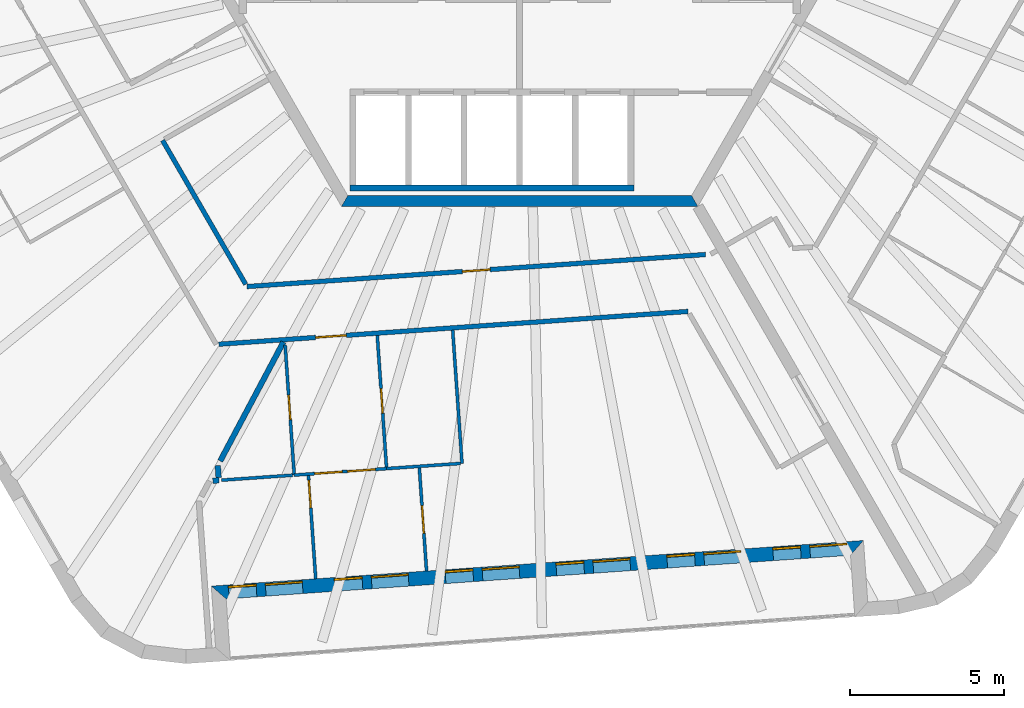
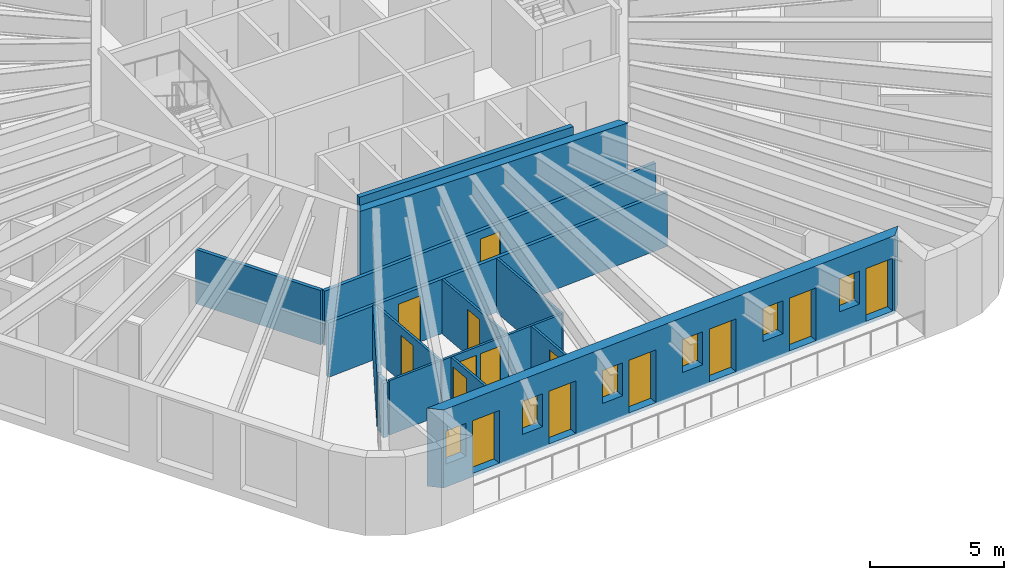
# One storey, part 3 of 11: 17 walls, 14 doors, 6 windows, 20 openings.
"""IFC4 building model written with IfcOpenShell, lengths in metres."""

import ifcopenshell
import ifcopenshell.guid

model = None  # the IFC model being written
_history = None  # IfcOwnerHistory: only IFC2X3 demands one
_inside = {}  # id of a spatial element -> (the spatial element, [elements in it])
_under = {}  # id of a project, library or spatial element -> (it, [spatial elements below it])
_declared = {}  # id of a project -> (the project, [libraries it declares])
_typed = {}  # id of a type object -> (the type object, [elements of that type])
_made_of = {}  # id of a material, layer set ... -> (it, [elements and type objects made of it])


def new_model(schema):
    """Start an empty IFC model of exactly this schema.

    Asked for "IFC4X3", IfcOpenShell would pick the latest addendum, in which some entities
    have other attributes; the version numbers below select the first issue.
    IFC2X3 requires an IfcOwnerHistory on every rooted entity: one is made here for all.
    """
    global model, _history
    if schema == "IFC4X3":
        model = ifcopenshell.file(schema_version=(4, 3, 0, 0))
    else:
        model = ifcopenshell.file(schema=schema)
    _inside.clear()
    _under.clear()
    _declared.clear()
    _typed.clear()
    _made_of.clear()
    _history = None
    if model.schema == "IFC2X3":
        org = make("IfcOrganization", Name="unknown")
        user = make(
            "IfcPersonAndOrganization",
            ThePerson=make("IfcPerson", FamilyName="unknown"),
            TheOrganization=org,
        )
        app = make(
            "IfcApplication",
            ApplicationDeveloper=org,
            Version="unknown",
            ApplicationFullName="unknown",
            ApplicationIdentifier="unknown",
        )
        _history = make(
            "IfcOwnerHistory",
            OwningUser=user,
            OwningApplication=app,
            ChangeAction="ADDED",
            CreationDate=0,
        )
    return model


def make(cls, **values):
    """One entity of the class cls with the attributes given. An attribute that is None is left unset."""
    return model.create_entity(
        cls, **{name: value for name, value in values.items() if value is not None}
    )


def rooted(cls, **values):
    """An entity with a GlobalId (a new one), such as an element, a storey or a relation."""
    return make(cls, GlobalId=ifcopenshell.guid.new(), OwnerHistory=_history, **values)


def si_unit(unit_type, name, prefix=None):
    """IfcSIUnit, for example si_unit("LENGTHUNIT", "METRE", prefix="MILLI")."""
    return make("IfcSIUnit", UnitType=unit_type, Prefix=prefix, Name=name)


def assignment(units):
    """IfcUnitAssignment: the units of a project."""
    return None if units is None else make("IfcUnitAssignment", Units=units)


def point(xyz):
    """IfcCartesianPoint."""
    return None if xyz is None else make("IfcCartesianPoint", Coordinates=xyz)


def direction(xyz):
    """IfcDirection."""
    return None if xyz is None else make("IfcDirection", DirectionRatios=xyz)


def frame(location, z_axis=None, x_axis=None):
    """IfcAxis2Placement3D, a coordinate frame: its origin and axes. An axis left out is left unset."""
    return make(
        "IfcAxis2Placement3D",
        Location=point(location),
        Axis=direction(z_axis),
        RefDirection=direction(x_axis),
    )


def frame_2d(location, x_axis=None):
    """IfcAxis2Placement2D, a coordinate frame in the plane: its origin and x axis."""
    return make(
        "IfcAxis2Placement2D", Location=point(location), RefDirection=direction(x_axis)
    )


def origin():
    """The frame at (0, 0, 0) with its axes left unset."""
    return frame((0.0, 0.0, 0.0))


def place(relative_to, where):
    """IfcLocalPlacement: puts the frame where relative to a parent placement (None: the world)."""
    return make(
        "IfcLocalPlacement", PlacementRelTo=relative_to, RelativePlacement=where
    )


def context(
    kind, dimensions, precision=None, world=None, true_north=None, identifier=None
):
    """IfcGeometricRepresentationContext, for example the 3D "Model" context."""
    return make(
        "IfcGeometricRepresentationContext",
        ContextIdentifier=identifier,
        ContextType=kind,
        CoordinateSpaceDimension=dimensions,
        Precision=precision,
        WorldCoordinateSystem=world,
        TrueNorth=true_north,
    )


def subcontext(parent, identifier, kind, view, scale=None):
    """IfcGeometricRepresentationSubContext, for example "Body" below "Model"."""
    return make(
        "IfcGeometricRepresentationSubContext",
        ContextIdentifier=identifier,
        ContextType=kind,
        ParentContext=parent,
        TargetScale=scale,
        TargetView=view,
    )


def project(units=None, contexts=None):
    """IfcProject with its units and contexts."""
    return rooted(
        "IfcProject",
        Name="project",
        RepresentationContexts=contexts,
        UnitsInContext=assignment(units),
    )


def spatial(cls, under=None, at=None, **own):
    """A site, building, storey or space (cls), placed at a placement, below another one or the project."""
    s = rooted(cls, ObjectPlacement=at, **own)
    if under is not None:
        _under.setdefault(under.id(), (under, []))[1].append(s)
    return s


def polyline(points):
    """IfcPolyline through the points."""
    return make("IfcPolyline", Points=[point(p) for p in points])


def profile(cls, at=None, kind="AREA", **sizes):
    """A parametric profile (cls). Its sizes go by their IFC names, for example OverallWidth=200.0."""
    return make(cls, ProfileType=kind, Position=at, **sizes)


def rectangle(**sizes):
    """IfcRectangleProfileDef."""
    return profile("IfcRectangleProfileDef", **sizes)


def outline(outer, holes=None, kind="AREA"):
    """IfcArbitraryClosedProfileDef: a profile drawn as a closed curve; with holes, ...WithVoids."""
    if holes is None:
        return make("IfcArbitraryClosedProfileDef", ProfileType=kind, OuterCurve=outer)
    return make(
        "IfcArbitraryProfileDefWithVoids",
        ProfileType=kind,
        OuterCurve=outer,
        InnerCurves=holes,
    )


def extrude(swept, where, along, depth):
    """IfcExtrudedAreaSolid: the profile swept, set in the frame where, extruded along a direction by depth."""
    return make(
        "IfcExtrudedAreaSolid",
        SweptArea=swept,
        Position=where,
        ExtrudedDirection=direction(along),
        Depth=depth,
    )


def shape(context_of_items, identifier, shape_type, items):
    """IfcShapeRepresentation: the items that make up one representation, for example the "Body"."""
    return make(
        "IfcShapeRepresentation",
        ContextOfItems=context_of_items,
        RepresentationIdentifier=identifier,
        RepresentationType=shape_type,
        Items=items,
    )


def material(Name=None, Category=None):
    """IfcMaterial."""
    return make("IfcMaterial", Name=Name, Category=Category)


def layer(
    of_material, thickness, ventilated=None, Name=None, Category=None, Priority=None
):
    """IfcMaterialLayer: one layer of a wall or slab, of a material (None: an air gap)."""
    return make(
        "IfcMaterialLayer",
        Material=of_material,
        LayerThickness=thickness,
        IsVentilated=ventilated,
        Name=Name,
        Category=Category,
        Priority=Priority,
    )


def layer_set(layers, Name=None):
    """IfcMaterialLayerSet."""
    return make("IfcMaterialLayerSet", MaterialLayers=layers, LayerSetName=Name)


def made_of(thing, what):
    """Note that an element or type object is made of a material, layer set ...; save() writes the relation."""
    if what is not None:
        _made_of.setdefault(what.id(), (what, []))[1].append(thing)
    return thing


def type_object(cls, material=None, **own):
    """A type object (cls), such as IfcWallType, which elements share."""
    return made_of(rooted(cls, **own), material)


def element(
    cls,
    number,
    at=None,
    inside=None,
    cuts=None,
    type_object=None,
    material=None,
    context=None,
    identifier="Body",
    shape_type=None,
    held_by="IfcProductDefinitionShape",
    body=None,
    shapes=None,
    **own,
):
    """One element of the class cls, such as IfcWall. Its Tag is "e" and its number.

    at: its placement. inside: the storey or other place that contains it. cuts: it is an
    opening in that element (IfcRelVoidsElement). A single representation is given by context,
    identifier, shape_type and body (its items); several are given by shapes. held_by: the class
    of the entity that holds the representations. save() writes the other relations.
    """
    e = rooted(cls, Tag="e%d" % number, ObjectPlacement=at, **own)
    if body is not None:
        shapes = [shape(context, identifier, shape_type, body)]
    if shapes is not None:
        e.Representation = make(held_by, Representations=shapes)
    if inside is not None:
        _inside.setdefault(inside.id(), (inside, []))[1].append(e)
    if cuts is not None:
        rooted(
            "IfcRelVoidsElement", RelatingBuildingElement=cuts, RelatedOpeningElement=e
        )
    if type_object is not None:
        _typed.setdefault(type_object.id(), (type_object, []))[1].append(e)
    return made_of(e, material)


def fill(opening, filler):
    """IfcRelFillsElement: the door or window that sits in an opening."""
    return rooted(
        "IfcRelFillsElement",
        RelatingOpeningElement=opening,
        RelatedBuildingElement=filler,
    )


def aggregate(whole, parts):
    """IfcRelAggregates: a whole, such as a stair, and the parts it consists of."""
    return rooted("IfcRelAggregates", RelatingObject=whole, RelatedObjects=parts)


def save(model, path):
    """Write the relations noted so far, then the file.

    IfcRelAggregates (storeys below a building ...), IfcRelContainedInSpatialStructure (elements
    in a storey), IfcRelDefinesByType, IfcRelAssociatesMaterial and IfcRelDeclares: one each for
    every whole, place, type object, material and project.
    """
    for whole, parts in _under.values():
        aggregate(whole, parts)
    for where, things in _inside.values():
        rooted(
            "IfcRelContainedInSpatialStructure",
            RelatedElements=things,
            RelatingStructure=where,
        )
    for kind, things in _typed.values():
        rooted("IfcRelDefinesByType", RelatedObjects=things, RelatingType=kind)
    for what, things in _made_of.values():
        rooted("IfcRelAssociatesMaterial", RelatedObjects=things, RelatingMaterial=what)
    for by, libraries in _declared.values():
        rooted("IfcRelDeclares", RelatingContext=by, RelatedDefinitions=libraries)
    model.write(path)


model = new_model("IFC4")

# Units and contexts
model_context = context("Model", 3, precision=1e-05, world=origin(), true_north=direction((0.0, 1.0)))
body_context = subcontext(model_context, "Body", "Model", "MODEL_VIEW")
ifc_project = project(units=[si_unit("LENGTHUNIT", "METRE"), si_unit("AREAUNIT", "SQUARE_METRE"), si_unit("VOLUMEUNIT", "CUBIC_METRE"), si_unit("PLANEANGLEUNIT", "RADIAN"), si_unit("MASSUNIT", "GRAM", prefix="KILO")], contexts=[model_context])

# Site, building, storey
site_placement = place(None, origin())
site = spatial("IfcSite", under=ifc_project, at=site_placement, CompositionType="ELEMENT")
building_placement = place(site_placement, origin())
building = spatial("IfcBuilding", under=site, at=building_placement, Name="Tarnside Tower", CompositionType="ELEMENT")
storey_placement = place(building_placement, frame((0.0, 0.0, 372.89990234375)))
storey = spatial("IfcBuildingStorey", under=building, at=storey_placement, Name="L90", CompositionType="ELEMENT", Elevation=372.89990234375)

# Walls
ifc_material_1 = material(Name="Gypsum board partition on steel studs", Category="steel")
ifc_layer_1 = layer(ifc_material_1, 0.10009765625)
ifc_layer_set_1 = layer_set([ifc_layer_1], Name="Bathroom wall 100")
wall_type_1 = type_object("IfcWallType", Name="Bathroom wall 100", PredefinedType="PARTITIONING", material=ifc_layer_set_1)
wall_1_placement = place(storey_placement, frame((-2.169921875, -14.010498046875, 0.0), z_axis=(0.0, 0.0, 1.0), x_axis=(0.069770707097, -0.997563054865, 0.0)))
element("IfcWall", 1, at=wall_1_placement, inside=storey, type_object=wall_type_1, Name="Bathroom wall 29121", PredefinedType="PARTITIONING", context=body_context, shape_type="SweptSolid", body=[
    extrude(rectangle(XDim=4.324951171875, YDim=0.10009765625, at=frame_2d((2.16259765625, 0.0))), origin(), (0.0, 0.0, 1.0), 2.47021484375),
])
wall_2_placement = place(storey_placement, frame((-1.918212890625, -18.328369140625, 0.0), z_axis=(0.0, 0.0, 1.0), x_axis=(-0.997561942506, -0.06978660948, 0.0)))
element("IfcWall", 2, at=wall_2_placement, inside=storey, type_object=wall_type_1, Name="Bathroom wall 29122", PredefinedType="PARTITIONING", context=body_context, shape_type="SweptSolid", body=[
    extrude(rectangle(XDim=2.39990234375, YDim=0.10009765625, at=frame_2d((1.199951171875, 0.0))), origin(), (0.0, 0.0, 1.0), 2.47021484375),
])

# Wall, opening, door
wall_3_placement = place(storey_placement, frame((-4.315673828125, -18.446044921875, 0.0), z_axis=(0.0, 0.0, 1.0), x_axis=(-0.069785937212, 0.997561989536, 0.0)))
wall_3 = element("IfcWall", 3, at=wall_3_placement, inside=storey, type_object=wall_type_1, Name="Bathroom wall 29124", PredefinedType="PARTITIONING", context=body_context, shape_type="SweptSolid", body=[
    extrude(rectangle(XDim=4.275146484375, YDim=0.10009765625, at=frame_2d((2.1376953125, 0.0))), origin(), (0.0, 0.0, 1.0), 2.47021484375),
])
opening_1_placement = place(wall_3_placement, frame((1.75, 0.0, 0.0)))
opening_1 = element("IfcOpeningElement", 4, at=opening_1_placement, cuts=wall_3, Name="Opening D-B1", PredefinedType="OPENING", context=body_context, shape_type="SweptSolid", body=[
    extrude(rectangle(XDim=0.800048828125, YDim=2.10009765625, at=frame_2d((0.39990234375, 1.050048828125))), frame((0.0, 0.06005859375, 0.0), z_axis=(0.0, -1.0, 0.0), x_axis=(1.0, 0.0, 0.0)), (0.0, 0.0, 1.0), 0.1201171875),
])
ifc_material_2 = material(Name="Timber door leaf", Category="wood")
door_type_1 = type_object("IfcDoorType", Name="Bathroom door 800", OperationType="NOTDEFINED", PredefinedType="DOOR", material=ifc_material_2)
door_1_placement = place(opening_1_placement, origin())
door_1 = element("IfcDoor", 5, at=door_1_placement, inside=storey, type_object=door_type_1, Name="Bathroom door 29032", OperationType="SINGLE_SWING_LEFT", OverallHeight=2.10009765625, OverallWidth=0.800048828125, PredefinedType="DOOR", context=body_context, shape_type="SweptSolid", body=[
    extrude(rectangle(XDim=0.800048828125, YDim=2.10009765625, at=frame_2d((0.39990234375, 1.050048828125))), frame((0.0, 0.02490234375, 0.0), z_axis=(0.0, -1.0, 0.0), x_axis=(1.0, 0.0, 0.0)), (0.0, 0.0, 1.0), 0.050048828125),
])
fill(opening_1, door_1)

wall_4_placement = place(storey_placement, frame((-7.60009765625, -14.4853515625, 0.0), z_axis=(0.0, 0.0, 1.0), x_axis=(0.069778585231, -0.997562503828, 0.0)))
wall_4 = element("IfcWall", 6, at=wall_4_placement, inside=storey, type_object=wall_type_1, Name="Bathroom wall 29127", PredefinedType="PARTITIONING", context=body_context, shape_type="SweptSolid", body=[
    extrude(rectangle(XDim=4.22998046875, YDim=0.10009765625, at=frame_2d((2.114990234375, 0.0))), origin(), (0.0, 0.0, 1.0), 2.47021484375),
])
opening_2_placement = place(wall_4_placement, frame((1.630126953125, 0.0, 0.0)))
opening_2 = element("IfcOpeningElement", 7, at=opening_2_placement, cuts=wall_4, Name="Opening D-B1", PredefinedType="OPENING", context=body_context, shape_type="SweptSolid", body=[
    extrude(rectangle(XDim=0.800048828125, YDim=2.10009765625, at=frame_2d((0.39990234375, 1.050048828125))), frame((0.0, 0.06005859375, 0.0), z_axis=(0.0, -1.0, 0.0), x_axis=(1.0, 0.0, 0.0)), (0.0, 0.0, 1.0), 0.1201171875),
])
door_2_placement = place(opening_2_placement, origin())
door_2 = element("IfcDoor", 8, at=door_2_placement, inside=storey, type_object=door_type_1, Name="Bathroom door 29040", OperationType="SINGLE_SWING_RIGHT", OverallHeight=2.10009765625, OverallWidth=0.800048828125, PredefinedType="DOOR", context=body_context, shape_type="SweptSolid", body=[
    extrude(rectangle(XDim=0.800048828125, YDim=2.10009765625, at=frame_2d((0.39990234375, 1.050048828125))), frame((0.0, 0.02490234375, 0.0), z_axis=(0.0, -1.0, 0.0), x_axis=(1.0, 0.0, 0.0)), (0.0, 0.0, 1.0), 0.050048828125),
])
fill(opening_2, door_2)

# Walls
wall_5_placement = place(storey_placement, frame((-7.354736328125, -18.70849609375, 0.0), z_axis=(0.0, 0.0, 1.0), x_axis=(-0.997556979038, -0.069857523376, 0.0)))
element("IfcWall", 9, at=wall_5_placement, inside=storey, type_object=wall_type_1, Name="Bathroom wall 29130", PredefinedType="PARTITIONING", context=body_context, shape_type="SweptSolid", body=[
    extrude(rectangle(XDim=2.31005859375, YDim=0.10009765625, at=frame_2d((1.155029296875, 0.0))), origin(), (0.0, 0.0, 1.0), 2.47021484375),
])
ifc_material_3 = material(Name="Concrete C50/60", Category="concrete")
ifc_layer_2 = layer(ifc_material_3, 0.35009765625)
ifc_layer_set_2 = layer_set([ifc_layer_2], Name="Core wall Z4 350 C50/60")
wall_type_2 = type_object("IfcWallType", Name="Core wall Z4 350 C50/60", PredefinedType="SHEAR", material=ifc_layer_set_2)
wall_6_placement = place(storey_placement, frame((-5.672607421875, -9.824951171875, -0.14990234375), z_axis=(0.0, 0.0, 1.0), x_axis=(1.0, 0.0, 0.0)))
element("IfcWall", 10, at=wall_6_placement, inside=storey, type_object=wall_type_2, Name="L90 core wall face 4", PredefinedType="SHEAR", context=body_context, shape_type="SweptSolid", body=[
    extrude(outline(polyline([(-0.10107421875, -0.175048828125), (11.4462890625, -0.175048828125), (11.244140625, 0.175048828125), (0.10107421875, 0.175048828125), (-0.10107421875, -0.175048828125)])), origin(), (0.0, 0.0, 1.0), 3.550048828125),
])

# Wall, opening, door
ifc_layer_3 = layer(ifc_material_1, 0.14990234375)
ifc_layer_set_3 = layer_set([ifc_layer_3], Name="Corridor wall 150 EI 60")
wall_type_3 = type_object("IfcWallType", Name="Corridor wall 150 EI 60", PredefinedType="PARTITIONING", material=ifc_layer_set_3)
wall_7_placement = place(storey_placement, frame((-9.74853515625, -14.46533203125, 0.0), z_axis=(0.0, 0.0, 1.0), x_axis=(0.997564252773, 0.069753577612, 0.0)))
wall_7 = element("IfcWall", 11, at=wall_7_placement, inside=storey, type_object=wall_type_3, Name="Corridor wall 29028", PredefinedType="PARTITIONING", context=body_context, shape_type="SweptSolid", body=[
    extrude(rectangle(XDim=15.24267578125, YDim=0.14990234375, at=frame_2d((7.621337890625, 0.0))), origin(), (0.0, 0.0, 1.0), 2.47021484375),
])
opening_3_placement = place(wall_7_placement, frame((3.141845703125, 0.0, 0.0)))
opening_3 = element("IfcOpeningElement", 12, at=opening_3_placement, cuts=wall_7, Name="Opening D-E1", PredefinedType="OPENING", context=body_context, shape_type="SweptSolid", body=[
    extrude(rectangle(XDim=1.0, YDim=2.10009765625, at=frame_2d((0.5, 1.050048828125))), frame((0.0, 0.0849609375, 0.0), z_axis=(0.0, -1.0, 0.0), x_axis=(1.0, 0.0, 0.0)), (0.0, 0.0, 1.0), 0.169921875),
])
door_type_2 = type_object("IfcDoorType", Name="Unit entrance door 1000 FD30S", OperationType="NOTDEFINED", PredefinedType="DOOR", material=ifc_material_2)
door_3_placement = place(opening_3_placement, origin())
door_3 = element("IfcDoor", 13, at=door_3_placement, inside=storey, type_object=door_type_2, Name="Unit door 29031", OperationType="SINGLE_SWING_RIGHT", OverallHeight=2.10009765625, OverallWidth=1.0, PredefinedType="DOOR", context=body_context, shape_type="SweptSolid", body=[
    extrude(rectangle(XDim=1.0, YDim=2.10009765625, at=frame_2d((0.5, 1.050048828125))), frame((0.0, 0.02490234375, 0.0), z_axis=(0.0, -1.0, 0.0), x_axis=(1.0, 0.0, 0.0)), (0.0, 0.0, 1.0), 0.050048828125),
])
fill(opening_3, door_3)

wall_8_placement = place(storey_placement, frame((6.02197265625, -11.55810546875, 0.0), z_axis=(0.0, 0.0, 1.0), x_axis=(-0.997564502115, -0.06975001161, 0.0)))
wall_8 = element("IfcWall", 14, at=wall_8_placement, inside=storey, type_object=wall_type_3, Name="Corridor wall 29048", PredefinedType="PARTITIONING", context=body_context, shape_type="SweptSolid", body=[
    extrude(rectangle(XDim=14.8935546875, YDim=0.14990234375, at=frame_2d((7.44677734375, 0.0))), origin(), (0.0, 0.0, 1.0), 2.47021484375),
])
opening_4_placement = place(wall_8_placement, frame((6.996826171875, 0.0, 0.0)))
opening_4 = element("IfcOpeningElement", 15, at=opening_4_placement, cuts=wall_8, Name="Opening D-S1", PredefinedType="OPENING", context=body_context, shape_type="SweptSolid", body=[
    extrude(rectangle(XDim=0.89990234375, YDim=2.10009765625, at=frame_2d((0.449951171875, 1.050048828125))), frame((0.0, 0.0849609375, 0.0), z_axis=(0.0, -1.0, 0.0), x_axis=(1.0, 0.0, 0.0)), (0.0, 0.0, 1.0), 0.169921875),
])
door_type_3 = type_object("IfcDoorType", Name="Service room door 900 FD30S", OperationType="NOTDEFINED", PredefinedType="DOOR", material=ifc_material_2)
door_4_placement = place(opening_4_placement, origin())
door_4 = element("IfcDoor", 16, at=door_4_placement, inside=storey, type_object=door_type_3, Name="Service door 29060", OperationType="SINGLE_SWING_RIGHT", OverallHeight=2.10009765625, OverallWidth=0.89990234375, PredefinedType="DOOR", context=body_context, shape_type="SweptSolid", body=[
    extrude(rectangle(XDim=0.89990234375, YDim=2.10009765625, at=frame_2d((0.449951171875, 1.050048828125))), frame((0.0, 0.02490234375, 0.0), z_axis=(0.0, -1.0, 0.0), x_axis=(1.0, 0.0, 0.0)), (0.0, 0.0, 1.0), 0.050048828125),
])
fill(opening_4, door_4)

# Walls
wall_9_placement = place(storey_placement, frame((-8.876953125, -12.524658203125, 0.0), z_axis=(0.0, 0.0, 1.0), x_axis=(-0.500014061761, 0.866017285071, 0.0)))
element("IfcWall", 17, at=wall_9_placement, inside=storey, type_object=wall_type_3, Name="Corridor wall 29049", PredefinedType="PARTITIONING", context=body_context, shape_type="SweptSolid", body=[
    extrude(rectangle(XDim=5.386962890625, YDim=0.14990234375, at=frame_2d((2.693359375, 0.0))), origin(), (0.0, 0.0, 1.0), 2.47021484375),
])
ifc_layer_4 = layer(ifc_material_1, 0.179931640625)
ifc_layer_set_4 = layer_set([ifc_layer_4], Name="Demising wall 180 EI 60")
wall_type_4 = type_object("IfcWallType", Name="Demising wall 180 EI 60", PredefinedType="PARTITIONING", material=ifc_layer_set_4)
wall_10_placement = place(storey_placement, frame((-9.94189453125, -18.889404296875, 0.0), z_axis=(0.0, 0.0, 1.0), x_axis=(0.997589087128, 0.069397501713, 0.0)))
element("IfcWall", 18, at=wall_10_placement, inside=storey, type_object=wall_type_4, Name="Demising wall 29113", PredefinedType="PARTITIONING", context=body_context, shape_type="SweptSolid", body=[
    extrude(rectangle(XDim=0.197021484375, YDim=0.179931640625, at=frame_2d((0.0986328125, 0.0))), origin(), (0.0, 0.0, 1.0), 2.47021484375),
])
wall_11_placement = place(storey_placement, frame((-9.755126953125, -18.7861328125, 0.0), z_axis=(0.0, 0.0, 1.0), x_axis=(-0.070266142985, 0.997528279875, 0.0)))
element("IfcWall", 19, at=wall_11_placement, inside=storey, type_object=wall_type_4, Name="Demising wall 29114", PredefinedType="PARTITIONING", context=body_context, shape_type="SweptSolid", body=[
    extrude(rectangle(XDim=0.38916015625, YDim=0.179931640625, at=frame_2d((0.194580078125, 0.0))), origin(), (0.0, 0.0, 1.0), 2.47021484375),
])
wall_12_placement = place(storey_placement, frame((-9.70263671875, -18.248046875, 0.0), z_axis=(0.0, 0.0, 1.0), x_axis=(0.469490526632, 0.882937509342, 0.0)))
element("IfcWall", 20, at=wall_12_placement, inside=storey, type_object=wall_type_4, Name="Demising wall 29115", PredefinedType="PARTITIONING", context=body_context, shape_type="SweptSolid", body=[
    extrude(rectangle(XDim=4.364990234375, YDim=0.179931640625, at=frame_2d((2.1826171875, 0.0))), origin(), (0.0, 0.0, 1.0), 2.47021484375),
])
ifc_material_4 = material(Name="Concrete C40/50", Category="concrete")
ifc_layer_5 = layer(ifc_material_4, 0.199951171875)
ifc_layer_set_5 = layer_set([ifc_layer_5], Name="Lift shaft wall 200 C40/50")
wall_type_5 = type_object("IfcWallType", Name="Lift shaft wall 200 C40/50", PredefinedType="SHEAR", material=ifc_layer_set_5)
wall_13_placement = place(storey_placement, frame((-5.5, -9.39990234375, -0.25), z_axis=(0.0, 0.0, 1.0), x_axis=(1.0, 0.0, 0.0)))
element("IfcWall", 21, at=wall_13_placement, inside=storey, type_object=wall_type_5, Name="L90 lift shaft back wall R4", PredefinedType="SHEAR", context=body_context, shape_type="SweptSolid", body=[
    extrude(rectangle(XDim=9.199951171875, YDim=0.199951171875, at=frame_2d((4.60009765625, 0.0))), origin(), (0.0, 0.0, 1.0), 3.900146484375),
])

# Wall, openings, doors, windows
ifc_material_5 = material(Name="Dark zinc cladding")
ifc_layer_6 = layer(ifc_material_5, 0.10205078125)
ifc_material_6 = material(Name="Concrete C60/75 precast", Category="concrete")
ifc_layer_7 = layer(ifc_material_6, 0.248046875)
ifc_material_7 = material(Name="Mineral wool insulation")
ifc_layer_8 = layer(ifc_material_7, 0.10009765625)
ifc_layer_set_6 = layer_set([ifc_layer_6, ifc_layer_7, ifc_layer_8], Name="Loggia wall 450 zinc faced")
wall_type_6 = type_object("IfcWallType", Name="Loggia wall 450 zinc faced", PredefinedType="SOLIDWALL", material=ifc_layer_set_6)
wall_14_placement = place(storey_placement, frame((-9.7509765625, -22.510009765625, -0.14990234375), z_axis=(0.0, 0.0, 1.0), x_axis=(0.997564460173, 0.06975061147, 0.0)))
wall_14 = element("IfcWall", 22, at=wall_14_placement, inside=storey, type_object=wall_type_6, Name="Tube wall L90 F4 back 18", PredefinedType="SOLIDWALL", context=body_context, shape_type="SweptSolid", body=[
    extrude(outline(polyline([(0.224853515625, -0.22509765625), (20.5068359375, -0.22509765625), (20.95654296875, 0.22509765625), (-0.224853515625, 0.22509765625), (0.224853515625, -0.22509765625)])), origin(), (0.0, 0.0, 1.0), 3.550048828125),
])
opening_5_placement = place(wall_14_placement, frame((0.324951171875, 0.0, 1.050048828125)))
opening_5 = element("IfcOpeningElement", 23, at=opening_5_placement, cuts=wall_14, Name="Opening WL450", PredefinedType="OPENING", context=body_context, shape_type="SweptSolid", body=[
    extrude(rectangle(XDim=0.89990234375, YDim=1.5, at=frame_2d((0.449951171875, 0.75))), frame((0.0, 0.23486328125, 0.0), z_axis=(0.0, -1.0, 0.0), x_axis=(1.0, 0.0, 0.0)), (0.0, 0.0, 1.0), 0.469970703125),
])
opening_6_placement = place(wall_14_placement, frame((1.52490234375, 0.0, 0.14990234375)))
opening_6 = element("IfcOpeningElement", 24, at=opening_6_placement, cuts=wall_14, Name="Opening DB450", PredefinedType="OPENING", context=body_context, shape_type="SweptSolid", body=[
    extrude(rectangle(XDim=1.199951171875, YDim=2.39990234375, at=frame_2d((0.60009765625, 1.199951171875))), frame((0.0, 0.23486328125, 0.0), z_axis=(0.0, -1.0, 0.0), x_axis=(1.0, 0.0, 0.0)), (0.0, 0.0, 1.0), 0.469970703125),
])
opening_7_placement = place(wall_14_placement, frame((3.765869140625, 0.0, 1.050048828125)))
opening_7 = element("IfcOpeningElement", 25, at=opening_7_placement, cuts=wall_14, Name="Opening WL450", PredefinedType="OPENING", context=body_context, shape_type="SweptSolid", body=[
    extrude(rectangle(XDim=0.89990234375, YDim=1.5, at=frame_2d((0.449951171875, 0.75))), frame((0.0, 0.23486328125, 0.0), z_axis=(0.0, -1.0, 0.0), x_axis=(1.0, 0.0, 0.0)), (0.0, 0.0, 1.0), 0.469970703125),
])
opening_8_placement = place(wall_14_placement, frame((4.9658203125, 0.0, 0.14990234375)))
opening_8 = element("IfcOpeningElement", 26, at=opening_8_placement, cuts=wall_14, Name="Opening DB450", PredefinedType="OPENING", context=body_context, shape_type="SweptSolid", body=[
    extrude(rectangle(XDim=1.199951171875, YDim=2.39990234375, at=frame_2d((0.60009765625, 1.199951171875))), frame((0.0, 0.23486328125, 0.0), z_axis=(0.0, -1.0, 0.0), x_axis=(1.0, 0.0, 0.0)), (0.0, 0.0, 1.0), 0.469970703125),
])
opening_9_placement = place(wall_14_placement, frame((7.36572265625, 0.0, 1.050048828125)))
opening_9 = element("IfcOpeningElement", 27, at=opening_9_placement, cuts=wall_14, Name="Opening WL450", PredefinedType="OPENING", context=body_context, shape_type="SweptSolid", body=[
    extrude(rectangle(XDim=0.89990234375, YDim=1.5, at=frame_2d((0.449951171875, 0.75))), frame((0.0, 0.23486328125, 0.0), z_axis=(0.0, -1.0, 0.0), x_axis=(1.0, 0.0, 0.0)), (0.0, 0.0, 1.0), 0.469970703125),
])
opening_10_placement = place(wall_14_placement, frame((8.56591796875, 0.0, 0.14990234375)))
opening_10 = element("IfcOpeningElement", 28, at=opening_10_placement, cuts=wall_14, Name="Opening DB450", PredefinedType="OPENING", context=body_context, shape_type="SweptSolid", body=[
    extrude(rectangle(XDim=1.199951171875, YDim=2.39990234375, at=frame_2d((0.60009765625, 1.199951171875))), frame((0.0, 0.23486328125, 0.0), z_axis=(0.0, -1.0, 0.0), x_axis=(1.0, 0.0, 0.0)), (0.0, 0.0, 1.0), 0.469970703125),
])
opening_11_placement = place(wall_14_placement, frame((10.9658203125, 0.0, 1.050048828125)))
opening_11 = element("IfcOpeningElement", 29, at=opening_11_placement, cuts=wall_14, Name="Opening WL450", PredefinedType="OPENING", context=body_context, shape_type="SweptSolid", body=[
    extrude(rectangle(XDim=0.89990234375, YDim=1.5, at=frame_2d((0.449951171875, 0.75))), frame((0.0, 0.23486328125, 0.0), z_axis=(0.0, -1.0, 0.0), x_axis=(1.0, 0.0, 0.0)), (0.0, 0.0, 1.0), 0.469970703125),
])
opening_12_placement = place(wall_14_placement, frame((12.165771484375, 0.0, 0.14990234375)))
opening_12 = element("IfcOpeningElement", 30, at=opening_12_placement, cuts=wall_14, Name="Opening DB450", PredefinedType="OPENING", context=body_context, shape_type="SweptSolid", body=[
    extrude(rectangle(XDim=1.199951171875, YDim=2.39990234375, at=frame_2d((0.60009765625, 1.199951171875))), frame((0.0, 0.23486328125, 0.0), z_axis=(0.0, -1.0, 0.0), x_axis=(1.0, 0.0, 0.0)), (0.0, 0.0, 1.0), 0.469970703125),
])
opening_13_placement = place(wall_14_placement, frame((14.56591796875, 0.0, 1.050048828125)))
opening_13 = element("IfcOpeningElement", 31, at=opening_13_placement, cuts=wall_14, Name="Opening WL450", PredefinedType="OPENING", context=body_context, shape_type="SweptSolid", body=[
    extrude(rectangle(XDim=0.89990234375, YDim=1.5, at=frame_2d((0.449951171875, 0.75))), frame((0.0, 0.23486328125, 0.0), z_axis=(0.0, -1.0, 0.0), x_axis=(1.0, 0.0, 0.0)), (0.0, 0.0, 1.0), 0.469970703125),
])
opening_14_placement = place(wall_14_placement, frame((15.765869140625, 0.0, 0.14990234375)))
opening_14 = element("IfcOpeningElement", 32, at=opening_14_placement, cuts=wall_14, Name="Opening DB450", PredefinedType="OPENING", context=body_context, shape_type="SweptSolid", body=[
    extrude(rectangle(XDim=1.199951171875, YDim=2.39990234375, at=frame_2d((0.60009765625, 1.199951171875))), frame((0.0, 0.23486328125, 0.0), z_axis=(0.0, -1.0, 0.0), x_axis=(1.0, 0.0, 0.0)), (0.0, 0.0, 1.0), 0.469970703125),
])
opening_15_placement = place(wall_14_placement, frame((18.006591796875, 0.0, 1.050048828125)))
opening_15 = element("IfcOpeningElement", 33, at=opening_15_placement, cuts=wall_14, Name="Opening WL450", PredefinedType="OPENING", context=body_context, shape_type="SweptSolid", body=[
    extrude(rectangle(XDim=0.89990234375, YDim=1.5, at=frame_2d((0.449951171875, 0.75))), frame((0.0, 0.23486328125, 0.0), z_axis=(0.0, -1.0, 0.0), x_axis=(1.0, 0.0, 0.0)), (0.0, 0.0, 1.0), 0.469970703125),
])
opening_16_placement = place(wall_14_placement, frame((19.20654296875, 0.0, 0.14990234375)))
opening_16 = element("IfcOpeningElement", 34, at=opening_16_placement, cuts=wall_14, Name="Opening DB450", PredefinedType="OPENING", context=body_context, shape_type="SweptSolid", body=[
    extrude(rectangle(XDim=1.199951171875, YDim=2.39990234375, at=frame_2d((0.60009765625, 1.199951171875))), frame((0.0, 0.23486328125, 0.0), z_axis=(0.0, -1.0, 0.0), x_axis=(1.0, 0.0, 0.0)), (0.0, 0.0, 1.0), 0.469970703125),
])
ifc_material_8 = material(Name="Aluminium-framed double glazing", Category="aluminium")
door_type_4 = type_object("IfcDoorType", Name="Balcony sliding door 1200 x 2400 in 450 wall", OperationType="SLIDING_TO_LEFT", PredefinedType="DOOR", material=ifc_material_8)
door_5_placement = place(opening_6_placement, frame((0.0, 0.150146484375, 0.0)))
door_5 = element("IfcDoor", 35, at=door_5_placement, inside=storey, type_object=door_type_4, Name="E.BD.L90.F4.00", OperationType="SLIDING_TO_LEFT", OverallHeight=2.39990234375, OverallWidth=1.199951171875, PredefinedType="DOOR", context=body_context, shape_type="SweptSolid", body=[
    extrude(rectangle(XDim=1.199951171875, YDim=2.39990234375, at=frame_2d((0.60009765625, 1.199951171875))), frame((0.0, 0.02490234375, 0.0), z_axis=(0.0, -1.0, 0.0), x_axis=(1.0, 0.0, 0.0)), (0.0, 0.0, 1.0), 0.050048828125),
])
fill(opening_6, door_5)
door_6_placement = place(opening_8_placement, frame((0.0, 0.150146484375, 0.0)))
door_6 = element("IfcDoor", 36, at=door_6_placement, inside=storey, type_object=door_type_4, Name="E.BD.L90.F4.01", OperationType="SLIDING_TO_LEFT", OverallHeight=2.39990234375, OverallWidth=1.199951171875, PredefinedType="DOOR", context=body_context, shape_type="SweptSolid", body=[
    extrude(rectangle(XDim=1.199951171875, YDim=2.39990234375, at=frame_2d((0.60009765625, 1.199951171875))), frame((0.0, 0.02490234375, 0.0), z_axis=(0.0, -1.0, 0.0), x_axis=(1.0, 0.0, 0.0)), (0.0, 0.0, 1.0), 0.050048828125),
])
fill(opening_8, door_6)
door_7_placement = place(opening_10_placement, frame((0.0, 0.150146484375, 0.0)))
door_7 = element("IfcDoor", 37, at=door_7_placement, inside=storey, type_object=door_type_4, Name="E.BD.L90.F4.02", OperationType="SLIDING_TO_LEFT", OverallHeight=2.39990234375, OverallWidth=1.199951171875, PredefinedType="DOOR", context=body_context, shape_type="SweptSolid", body=[
    extrude(rectangle(XDim=1.199951171875, YDim=2.39990234375, at=frame_2d((0.60009765625, 1.199951171875))), frame((0.0, 0.02490234375, 0.0), z_axis=(0.0, -1.0, 0.0), x_axis=(1.0, 0.0, 0.0)), (0.0, 0.0, 1.0), 0.050048828125),
])
fill(opening_10, door_7)
door_8_placement = place(opening_12_placement, frame((0.0, 0.150146484375, 0.0)))
door_8 = element("IfcDoor", 38, at=door_8_placement, inside=storey, type_object=door_type_4, Name="E.BD.L90.F4.03", OperationType="SLIDING_TO_LEFT", OverallHeight=2.39990234375, OverallWidth=1.199951171875, PredefinedType="DOOR", context=body_context, shape_type="SweptSolid", body=[
    extrude(rectangle(XDim=1.199951171875, YDim=2.39990234375, at=frame_2d((0.60009765625, 1.199951171875))), frame((0.0, 0.02490234375, 0.0), z_axis=(0.0, -1.0, 0.0), x_axis=(1.0, 0.0, 0.0)), (0.0, 0.0, 1.0), 0.050048828125),
])
fill(opening_12, door_8)
door_9_placement = place(opening_14_placement, frame((0.0, 0.150146484375, 0.0)))
door_9 = element("IfcDoor", 39, at=door_9_placement, inside=storey, type_object=door_type_4, Name="E.BD.L90.F4.04", OperationType="SLIDING_TO_LEFT", OverallHeight=2.39990234375, OverallWidth=1.199951171875, PredefinedType="DOOR", context=body_context, shape_type="SweptSolid", body=[
    extrude(rectangle(XDim=1.199951171875, YDim=2.39990234375, at=frame_2d((0.60009765625, 1.199951171875))), frame((0.0, 0.02490234375, 0.0), z_axis=(0.0, -1.0, 0.0), x_axis=(1.0, 0.0, 0.0)), (0.0, 0.0, 1.0), 0.050048828125),
])
fill(opening_14, door_9)
door_10_placement = place(opening_16_placement, frame((0.0, 0.150146484375, 0.0)))
door_10 = element("IfcDoor", 40, at=door_10_placement, inside=storey, type_object=door_type_4, Name="E.BD.L90.F4.05", OperationType="SLIDING_TO_LEFT", OverallHeight=2.39990234375, OverallWidth=1.199951171875, PredefinedType="DOOR", context=body_context, shape_type="SweptSolid", body=[
    extrude(rectangle(XDim=1.199951171875, YDim=2.39990234375, at=frame_2d((0.60009765625, 1.199951171875))), frame((0.0, 0.02490234375, 0.0), z_axis=(0.0, -1.0, 0.0), x_axis=(1.0, 0.0, 0.0)), (0.0, 0.0, 1.0), 0.050048828125),
])
fill(opening_16, door_10)
window_type = type_object("IfcWindowType", Name="Loggia window 900 x 1500 in 450 wall", PartitioningType="SINGLE_PANEL", PredefinedType="WINDOW", material=ifc_material_8)
window_1_placement = place(opening_5_placement, frame((0.0, 0.1552734375, 0.0)))
window_1 = element("IfcWindow", 41, at=window_1_placement, inside=storey, type_object=window_type, Name="E.LW.L90.F4.00", OverallHeight=1.5, OverallWidth=0.89990234375, PartitioningType="SINGLE_PANEL", PredefinedType="WINDOW", context=body_context, shape_type="SweptSolid", body=[
    extrude(rectangle(XDim=0.89990234375, YDim=1.5, at=frame_2d((0.449951171875, 0.75))), frame((0.0, 0.030029296875, 0.0), z_axis=(0.0, -1.0, 0.0), x_axis=(1.0, 0.0, 0.0)), (0.0, 0.0, 1.0), 0.06005859375),
])
fill(opening_5, window_1)
window_2_placement = place(opening_7_placement, frame((0.0, 0.1552734375, 0.0)))
window_2 = element("IfcWindow", 42, at=window_2_placement, inside=storey, type_object=window_type, Name="E.LW.L90.F4.01", OverallHeight=1.5, OverallWidth=0.89990234375, PartitioningType="SINGLE_PANEL", PredefinedType="WINDOW", context=body_context, shape_type="SweptSolid", body=[
    extrude(rectangle(XDim=0.89990234375, YDim=1.5, at=frame_2d((0.449951171875, 0.75))), frame((0.0, 0.030029296875, 0.0), z_axis=(0.0, -1.0, 0.0), x_axis=(1.0, 0.0, 0.0)), (0.0, 0.0, 1.0), 0.06005859375),
])
fill(opening_7, window_2)
window_3_placement = place(opening_9_placement, frame((0.0, 0.1552734375, 0.0)))
window_3 = element("IfcWindow", 43, at=window_3_placement, inside=storey, type_object=window_type, Name="E.LW.L90.F4.02", OverallHeight=1.5, OverallWidth=0.89990234375, PartitioningType="SINGLE_PANEL", PredefinedType="WINDOW", context=body_context, shape_type="SweptSolid", body=[
    extrude(rectangle(XDim=0.89990234375, YDim=1.5, at=frame_2d((0.449951171875, 0.75))), frame((0.0, 0.030029296875, 0.0), z_axis=(0.0, -1.0, 0.0), x_axis=(1.0, 0.0, 0.0)), (0.0, 0.0, 1.0), 0.06005859375),
])
fill(opening_9, window_3)
window_4_placement = place(opening_11_placement, frame((0.0, 0.1552734375, 0.0)))
window_4 = element("IfcWindow", 44, at=window_4_placement, inside=storey, type_object=window_type, Name="E.LW.L90.F4.03", OverallHeight=1.5, OverallWidth=0.89990234375, PartitioningType="SINGLE_PANEL", PredefinedType="WINDOW", context=body_context, shape_type="SweptSolid", body=[
    extrude(rectangle(XDim=0.89990234375, YDim=1.5, at=frame_2d((0.449951171875, 0.75))), frame((0.0, 0.030029296875, 0.0), z_axis=(0.0, -1.0, 0.0), x_axis=(1.0, 0.0, 0.0)), (0.0, 0.0, 1.0), 0.06005859375),
])
fill(opening_11, window_4)
window_5_placement = place(opening_13_placement, frame((0.0, 0.1552734375, 0.0)))
window_5 = element("IfcWindow", 45, at=window_5_placement, inside=storey, type_object=window_type, Name="E.LW.L90.F4.04", OverallHeight=1.5, OverallWidth=0.89990234375, PartitioningType="SINGLE_PANEL", PredefinedType="WINDOW", context=body_context, shape_type="SweptSolid", body=[
    extrude(rectangle(XDim=0.89990234375, YDim=1.5, at=frame_2d((0.449951171875, 0.75))), frame((0.0, 0.030029296875, 0.0), z_axis=(0.0, -1.0, 0.0), x_axis=(1.0, 0.0, 0.0)), (0.0, 0.0, 1.0), 0.06005859375),
])
fill(opening_13, window_5)
window_6_placement = place(opening_15_placement, frame((0.0, 0.1552734375, 0.0)))
window_6 = element("IfcWindow", 46, at=window_6_placement, inside=storey, type_object=window_type, Name="E.LW.L90.F4.05", OverallHeight=1.5, OverallWidth=0.89990234375, PartitioningType="SINGLE_PANEL", PredefinedType="WINDOW", context=body_context, shape_type="SweptSolid", body=[
    extrude(rectangle(XDim=0.89990234375, YDim=1.5, at=frame_2d((0.449951171875, 0.75))), frame((0.0, 0.030029296875, 0.0), z_axis=(0.0, -1.0, 0.0), x_axis=(1.0, 0.0, 0.0)), (0.0, 0.0, 1.0), 0.06005859375),
])
fill(opening_15, window_6)

# Wall, opening, door
ifc_layer_9 = layer(ifc_material_1, 0.10009765625)
ifc_layer_set_7 = layer_set([ifc_layer_9], Name="Partition 100")
wall_type_7 = type_object("IfcWallType", Name="Partition 100", PredefinedType="PARTITIONING", material=ifc_layer_set_7)
wall_15_placement = place(storey_placement, frame((-3.2509765625, -18.4716796875, 0.0), z_axis=(0.0, 0.0, 1.0), x_axis=(0.069739930095, -0.997565206967, 0.0)))
wall_15 = element("IfcWall", 47, at=wall_15_placement, inside=storey, type_object=wall_type_7, Name="Partition wall 29123", PredefinedType="PARTITIONING", context=body_context, shape_type="SweptSolid", body=[
    extrude(rectangle(XDim=3.35009765625, YDim=0.10009765625, at=frame_2d((1.675048828125, 0.0))), origin(), (0.0, 0.0, 1.0), 2.47021484375),
])
opening_17_placement = place(wall_15_placement, frame((1.22509765625, 0.0, 0.0)))
opening_17 = element("IfcOpeningElement", 48, at=opening_17_placement, cuts=wall_15, Name="Opening D-I1", PredefinedType="OPENING", context=body_context, shape_type="SweptSolid", body=[
    extrude(rectangle(XDim=0.89990234375, YDim=2.10009765625, at=frame_2d((0.449951171875, 1.050048828125))), frame((0.0, 0.06005859375, 0.0), z_axis=(0.0, -1.0, 0.0), x_axis=(1.0, 0.0, 0.0)), (0.0, 0.0, 1.0), 0.1201171875),
])
door_type_5 = type_object("IfcDoorType", Name="Internal door 900", OperationType="NOTDEFINED", PredefinedType="DOOR", material=ifc_material_2)
door_11_placement = place(opening_17_placement, origin())
door_11 = element("IfcDoor", 49, at=door_11_placement, inside=storey, type_object=door_type_5, Name="Internal door 29056", OperationType="SINGLE_SWING_RIGHT", OverallHeight=2.10009765625, OverallWidth=0.89990234375, PredefinedType="DOOR", context=body_context, shape_type="SweptSolid", body=[
    extrude(rectangle(XDim=0.89990234375, YDim=2.10009765625, at=frame_2d((0.449951171875, 1.050048828125))), frame((0.0, 0.02490234375, 0.0), z_axis=(0.0, -1.0, 0.0), x_axis=(1.0, 0.0, 0.0)), (0.0, 0.0, 1.0), 0.050048828125),
])
fill(opening_17, door_11)

# Wall, openings, doors
wall_16_placement = place(storey_placement, frame((-7.306884765625, -18.705322265625, 0.0), z_axis=(0.0, 0.0, 1.0), x_axis=(0.997565643132, 0.069733690876, 0.0)))
wall_16 = element("IfcWall", 50, at=wall_16_placement, inside=storey, type_object=wall_type_7, Name="Partition wall 29125", PredefinedType="PARTITIONING", context=body_context, shape_type="SweptSolid", body=[
    extrude(rectangle(XDim=3.00390625, YDim=0.10009765625, at=frame_2d((1.501953125, 0.0))), origin(), (0.0, 0.0, 1.0), 2.47021484375),
])
opening_18_placement = place(wall_16_placement, frame((0.662353515625, 0.0, 0.0)))
opening_18 = element("IfcOpeningElement", 51, at=opening_18_placement, cuts=wall_16, Name="Opening D-I1", PredefinedType="OPENING", context=body_context, shape_type="SweptSolid", body=[
    extrude(rectangle(XDim=0.89990234375, YDim=2.10009765625, at=frame_2d((0.449951171875, 1.050048828125))), frame((0.0, 0.06005859375, 0.0), z_axis=(0.0, -1.0, 0.0), x_axis=(1.0, 0.0, 0.0)), (0.0, 0.0, 1.0), 0.1201171875),
])
opening_19_placement = place(wall_16_placement, frame((1.732177734375, 0.0, 0.0)))
opening_19 = element("IfcOpeningElement", 52, at=opening_19_placement, cuts=wall_16, Name="Opening D-I1", PredefinedType="OPENING", context=body_context, shape_type="SweptSolid", body=[
    extrude(rectangle(XDim=0.89990234375, YDim=2.10009765625, at=frame_2d((0.449951171875, 1.050048828125))), frame((0.0, 0.06005859375, 0.0), z_axis=(0.0, -1.0, 0.0), x_axis=(1.0, 0.0, 0.0)), (0.0, 0.0, 1.0), 0.1201171875),
])
door_12_placement = place(opening_18_placement, origin())
door_12 = element("IfcDoor", 53, at=door_12_placement, inside=storey, type_object=door_type_5, Name="Internal door 29035", OperationType="SINGLE_SWING_LEFT", OverallHeight=2.10009765625, OverallWidth=0.89990234375, PredefinedType="DOOR", context=body_context, shape_type="SweptSolid", body=[
    extrude(rectangle(XDim=0.89990234375, YDim=2.10009765625, at=frame_2d((0.449951171875, 1.050048828125))), frame((0.0, 0.02490234375, 0.0), z_axis=(0.0, -1.0, 0.0), x_axis=(1.0, 0.0, 0.0)), (0.0, 0.0, 1.0), 0.050048828125),
])
fill(opening_18, door_12)
door_13_placement = place(opening_19_placement, origin())
door_13 = element("IfcDoor", 54, at=door_13_placement, inside=storey, type_object=door_type_5, Name="Internal door 29039", OperationType="SINGLE_SWING_LEFT", OverallHeight=2.10009765625, OverallWidth=0.89990234375, PredefinedType="DOOR", context=body_context, shape_type="SweptSolid", body=[
    extrude(rectangle(XDim=0.89990234375, YDim=2.10009765625, at=frame_2d((0.449951171875, 1.050048828125))), frame((0.0, 0.02490234375, 0.0), z_axis=(0.0, -1.0, 0.0), x_axis=(1.0, 0.0, 0.0)), (0.0, 0.0, 1.0), 0.050048828125),
])
fill(opening_19, door_13)

# Wall, opening, door
wall_17_placement = place(storey_placement, frame((-6.608642578125, -22.064697265625, 0.0), z_axis=(0.0, 0.0, 1.0), x_axis=(-0.06974500028, 0.997564852496, 0.0)))
wall_17 = element("IfcWall", 55, at=wall_17_placement, inside=storey, type_object=wall_type_7, Name="Partition wall 29129", PredefinedType="PARTITIONING", context=body_context, shape_type="SweptSolid", body=[
    extrude(rectangle(XDim=3.349853515625, YDim=0.10009765625, at=frame_2d((1.6748046875, 0.0))), origin(), (0.0, 0.0, 1.0), 2.47021484375),
])
opening_20_placement = place(wall_17_placement, frame((2.300048828125, 0.0, 0.0)))
opening_20 = element("IfcOpeningElement", 56, at=opening_20_placement, cuts=wall_17, Name="Opening D-I1", PredefinedType="OPENING", context=body_context, shape_type="SweptSolid", body=[
    extrude(rectangle(XDim=0.89990234375, YDim=2.10009765625, at=frame_2d((0.449951171875, 1.050048828125))), frame((0.0, 0.06005859375, 0.0), z_axis=(0.0, -1.0, 0.0), x_axis=(1.0, 0.0, 0.0)), (0.0, 0.0, 1.0), 0.1201171875),
])
door_14_placement = place(opening_20_placement, origin())
door_14 = element("IfcDoor", 57, at=door_14_placement, inside=storey, type_object=door_type_5, Name="Internal door 29038", OperationType="SINGLE_SWING_RIGHT", OverallHeight=2.10009765625, OverallWidth=0.89990234375, PredefinedType="DOOR", context=body_context, shape_type="SweptSolid", body=[
    extrude(rectangle(XDim=0.89990234375, YDim=2.10009765625, at=frame_2d((0.449951171875, 1.050048828125))), frame((0.0, 0.02490234375, 0.0), z_axis=(0.0, -1.0, 0.0), x_axis=(1.0, 0.0, 0.0)), (0.0, 0.0, 1.0), 0.050048828125),
])
fill(opening_20, door_14)

save(model, "model.ifc")
